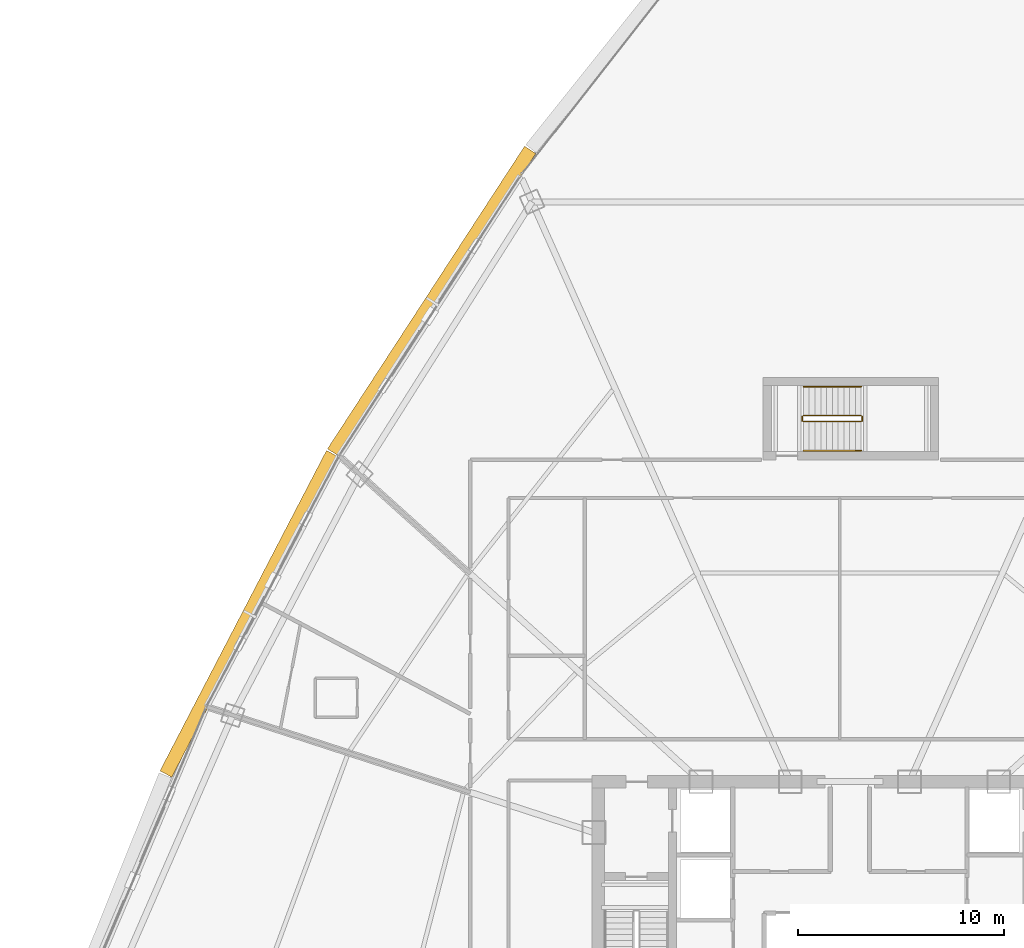
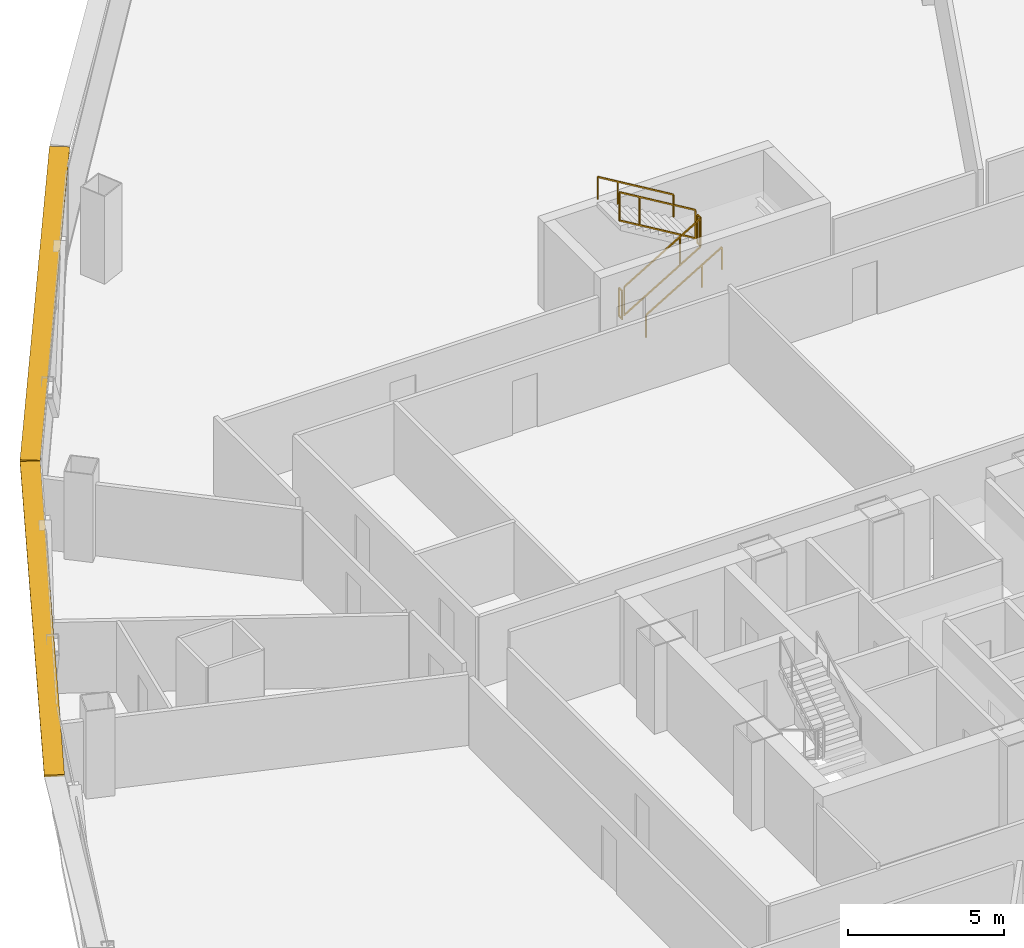
# One storey, part 41 of 42: 6 railings, 2 shading devices.
"""IFC4 building model written with IfcOpenShell, lengths in metres."""

from ifc_helpers import new_model, si_unit, direction, frame, origin, origin_2d, place, context, subcontext, project, spatial, rectangle, extrude, source, transform, mapped, material, layer, layer_set, type_object, element, save


model = new_model("IFC4")

# Units and contexts
model_context = context("Model", 3, precision=1e-05, world=origin(), true_north=direction((0.0, 1.0)))
body_context = subcontext(model_context, "Body", "Model", "MODEL_VIEW")
ifc_project = project(units=[si_unit("LENGTHUNIT", "METRE"), si_unit("AREAUNIT", "SQUARE_METRE"), si_unit("VOLUMEUNIT", "CUBIC_METRE"), si_unit("PLANEANGLEUNIT", "RADIAN"), si_unit("MASSUNIT", "GRAM", prefix="KILO"), si_unit("THERMODYNAMICTEMPERATUREUNIT", "KELVIN"), si_unit("POWERUNIT", "WATT")], contexts=[model_context])

# Site, building, storey
site_placement = place(None, origin())
site = spatial("IfcSite", under=ifc_project, at=site_placement, CompositionType="ELEMENT")
building_placement = place(site_placement, origin())
building = spatial("IfcBuilding", under=site, at=building_placement, Name="Yunzhuo Pagoda Commons", CompositionType="ELEMENT")
storey_placement = place(building_placement, frame((0.0, 0.0, 151.909912109375)))
storey = spatial("IfcBuildingStorey", under=building, at=storey_placement, Name="L38", CompositionType="ELEMENT", Elevation=151.909912109375)

# Railings
ifc_material = material(Name="Anodized aluminium 6063-T6", Category="aluminium")
railing_type_1 = type_object("IfcRailingType", Name="GR-ST3 North Well Guardrail 1155", PredefinedType="GUARDRAIL", material=ifc_material)
railing_1_placement = place(storey_placement, frame((45.75, 57.64990234375, 0.16748046875)))
element("IfcRailing", 1, at=railing_1_placement, inside=storey, type_object=railing_type_1, Name="L38 ST3 stair guard 1", PredefinedType="GUARDRAIL", context=body_context, shape_type="SweptSolid", body=[
    extrude(rectangle(XDim=0.048095703125, YDim=0.048095703125, at=origin_2d()), frame((0.0, 0.0, 1.1259765625), z_axis=(0.858495211305, 0.0, 0.512821579271), x_axis=(0.0, 1.0, 0.0)), (0.0, 0.0, 1.0), 3.261474609375),
    extrude(rectangle(XDim=0.048095703125, YDim=0.048095703125, at=origin_2d()), frame((0.0, 0.0, 0.02392578125), z_axis=(0.858495211305, 0.0, 0.512821579271), x_axis=(0.0, 1.0, 0.0)), (0.0, 0.0, 1.0), 3.261474609375),
    extrude(rectangle(XDim=0.0419921875, YDim=0.0419921875, at=origin_2d()), origin(), (0.0, 0.0, 1.0), 1.101806640625),
    extrude(rectangle(XDim=0.0419921875, YDim=0.0419921875, at=origin_2d()), frame((2.060302734375, 0.0, 1.230712890625)), (0.0, 0.0, 1.0), 1.101806640625),
    extrude(rectangle(XDim=0.0419921875, YDim=0.0419921875, at=origin_2d()), frame((2.800048828125, 0.0, 1.672607421875)), (0.0, 0.0, 1.0), 1.101806640625),
])
railing_2_placement = place(storey_placement, frame((48.60009765625, 57.699951171875, 1.840087890625)))
element("IfcRailing", 2, at=railing_2_placement, inside=storey, type_object=railing_type_1, Name="L38 ST3 stair guard 2", PredefinedType="GUARDRAIL", context=body_context, shape_type="SweptSolid", body=[
    extrude(rectangle(XDim=0.048095703125, YDim=0.048095703125, at=origin_2d()), frame((0.0, 0.0, 1.1259765625), z_axis=(0.0, 1.0, 0.0), x_axis=(-1.0, 0.0, 0.0)), (0.0, 0.0, 1.0), 0.199951171875),
    extrude(rectangle(XDim=0.048095703125, YDim=0.048095703125, at=origin_2d()), frame((0.0, 0.0, 0.02392578125), z_axis=(0.0, 1.0, 0.0), x_axis=(-1.0, 0.0, 0.0)), (0.0, 0.0, 1.0), 0.199951171875),
    extrude(rectangle(XDim=0.0419921875, YDim=0.0419921875, at=origin_2d()), origin(), (0.0, 0.0, 1.0), 1.101806640625),
    extrude(rectangle(XDim=0.0419921875, YDim=0.0419921875, at=origin_2d()), frame((0.0, 0.199951171875, 0.0)), (0.0, 0.0, 1.0), 1.101806640625),
])
railing_3_placement = place(storey_placement, frame((48.550048828125, 57.949951171875, 2.00732421875)))
element("IfcRailing", 3, at=railing_3_placement, inside=storey, type_object=railing_type_1, Name="L38 ST3 stair guard 3", PredefinedType="GUARDRAIL", context=body_context, shape_type="SweptSolid", body=[
    extrude(rectangle(XDim=0.048095703125, YDim=0.048095703125, at=origin_2d()), frame((0.0, 0.0, 1.1259765625), z_axis=(-0.858462256164, 0.0, 0.512876744201), x_axis=(0.0, -1.0, 0.0)), (0.0, 0.0, 1.0), 3.26171875),
    extrude(rectangle(XDim=0.048095703125, YDim=0.048095703125, at=origin_2d()), frame((0.0, 0.0, 0.02392578125), z_axis=(-0.858462256164, 0.0, 0.512876744201), x_axis=(0.0, -1.0, 0.0)), (0.0, 0.0, 1.0), 3.26171875),
    extrude(rectangle(XDim=0.0419921875, YDim=0.0419921875, at=origin_2d()), origin(), (0.0, 0.0, 1.0), 1.101806640625),
    extrude(rectangle(XDim=0.0419921875, YDim=0.0419921875, at=origin_2d()), frame((-2.060302734375, 0.0, 1.23095703125)), (0.0, 0.0, 1.0), 1.101806640625),
    extrude(rectangle(XDim=0.0419921875, YDim=0.0419921875, at=origin_2d()), frame((-2.800048828125, 0.0, 1.6728515625)), (0.0, 0.0, 1.0), 1.101806640625),
])
railing_4_placement = place(storey_placement, frame((45.699951171875, 57.699951171875, 0.0)))
element("IfcRailing", 4, at=railing_4_placement, inside=storey, type_object=railing_type_1, Name="L38 ST3 stair guard 4", PredefinedType="GUARDRAIL", context=body_context, shape_type="SweptSolid", body=[
    extrude(rectangle(XDim=0.048095703125, YDim=0.048095703125, at=origin_2d()), frame((0.0, 0.0, 1.1259765625), z_axis=(0.0, 1.0, 0.0), x_axis=(-1.0, 0.0, 0.0)), (0.0, 0.0, 1.0), 0.199951171875),
    extrude(rectangle(XDim=0.048095703125, YDim=0.048095703125, at=origin_2d()), frame((0.0, 0.0, 0.02392578125), z_axis=(0.0, 1.0, 0.0), x_axis=(-1.0, 0.0, 0.0)), (0.0, 0.0, 1.0), 0.199951171875),
    extrude(rectangle(XDim=0.0419921875, YDim=0.0419921875, at=origin_2d()), origin(), (0.0, 0.0, 1.0), 1.101806640625),
    extrude(rectangle(XDim=0.0419921875, YDim=0.0419921875, at=origin_2d()), frame((0.0, 0.199951171875, 0.0)), (0.0, 0.0, 1.0), 1.101806640625),
])
railing_type_2 = type_object("IfcRailingType", Name="HR-ST3 North Stair Handrail 900", PredefinedType="HANDRAIL", material=ifc_material)
railing_5_placement = place(storey_placement, frame((45.75, 56.25, 0.16748046875)))
element("IfcRailing", 5, at=railing_5_placement, inside=storey, type_object=railing_type_2, Name="L38 ST3 stair handrail 1", PredefinedType="HANDRAIL", context=body_context, shape_type="SweptSolid", body=[
    extrude(rectangle(XDim=0.048095703125, YDim=0.048095703125, at=origin_2d()), frame((0.0, 0.0, 0.8759765625), z_axis=(0.858495211305, 0.0, 0.512821579271), x_axis=(0.0, 1.0, 0.0)), (0.0, 0.0, 1.0), 3.261474609375),
    extrude(rectangle(XDim=0.0419921875, YDim=0.0419921875, at=origin_2d()), origin(), (0.0, 0.0, 1.0), 0.851806640625),
    extrude(rectangle(XDim=0.0419921875, YDim=0.0419921875, at=origin_2d()), frame((2.060302734375, 0.0, 1.230712890625)), (0.0, 0.0, 1.0), 0.851806640625),
    extrude(rectangle(XDim=0.0419921875, YDim=0.0419921875, at=origin_2d()), frame((2.800048828125, 0.0, 1.672607421875)), (0.0, 0.0, 1.0), 0.851806640625),
])
railing_6_placement = place(storey_placement, frame((48.550048828125, 59.35009765625, 2.00732421875)))
element("IfcRailing", 6, at=railing_6_placement, inside=storey, type_object=railing_type_2, Name="L38 ST3 stair handrail 2", PredefinedType="HANDRAIL", context=body_context, shape_type="SweptSolid", body=[
    extrude(rectangle(XDim=0.048095703125, YDim=0.048095703125, at=origin_2d()), frame((0.0, 0.0, 0.8759765625), z_axis=(-0.858462256164, 0.0, 0.512876744201), x_axis=(0.0, -1.0, 0.0)), (0.0, 0.0, 1.0), 3.26171875),
    extrude(rectangle(XDim=0.0419921875, YDim=0.0419921875, at=origin_2d()), origin(), (0.0, 0.0, 1.0), 0.851806640625),
    extrude(rectangle(XDim=0.0419921875, YDim=0.0419921875, at=origin_2d()), frame((-2.060302734375, 0.0, 1.23095703125)), (0.0, 0.0, 1.0), 0.851806640625),
    extrude(rectangle(XDim=0.0419921875, YDim=0.0419921875, at=origin_2d()), frame((-2.800048828125, 0.0, 1.6728515625)), (0.0, 0.0, 1.0), 0.851806640625),
])

# Shading devices
ifc_layer = layer(ifc_material, 0.080078125)
ifc_layer_set = layer_set([ifc_layer], Name="Anodized aluminium 6063-T6")
shading_device_type = type_object("IfcShadingDeviceType", Name="SH-SUN1 Pagoda Horizontal Sunshade Eave 650", PredefinedType="USERDEFINED", material=ifc_layer_set)
shared_shape_1 = source(origin(), body_context, "Body", "SweptSolid", [
    extrude(rectangle(XDim=17.50537109375, YDim=0.64990234375, at=origin_2d()), origin(), (0.0, 0.0, 1.0), 0.080078125),
])
shading_device_1_placement = place(storey_placement, frame((18.880859375, 48.334716796875, 3.340087890625), z_axis=(0.0, 0.0, 1.0), x_axis=(-0.461206683033, -0.88729273384, 0.0)))
element("IfcShadingDevice", 7, at=shading_device_1_placement, inside=storey, type_object=shading_device_type, Name="L38 horizontal pagoda sunshade eave F3.3", ObjectType="SUNSHADE", PredefinedType="USERDEFINED", context=body_context, shape_type="MappedRepresentation", body=[
    mapped(shared_shape_1, transform((0.0, 0.0, 0.0), scale=1.0)),
])
shared_shape_2 = source(origin(), body_context, "Body", "SweptSolid", [
    extrude(rectangle(XDim=17.505615234375, YDim=0.64990234375, at=origin_2d()), origin(), (0.0, 0.0, 1.0), 0.080078125),
])
shading_device_2_placement = place(storey_placement, frame((27.727294921875, 63.489501953125, 3.340087890625), z_axis=(0.0, 0.0, 1.0), x_axis=(-0.545838756973, -0.837890238269, 0.0)))
element("IfcShadingDevice", 8, at=shading_device_2_placement, inside=storey, type_object=shading_device_type, Name="L38 horizontal pagoda sunshade eave F3.2", ObjectType="SUNSHADE", PredefinedType="USERDEFINED", context=body_context, shape_type="MappedRepresentation", body=[
    mapped(shared_shape_2, transform((0.0, 0.0, 0.0), scale=1.0)),
])

save(model, "model.ifc")
